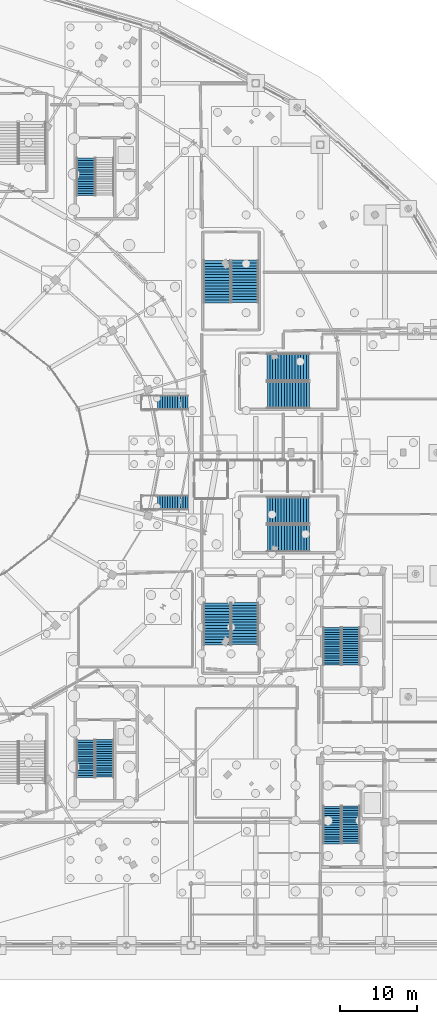
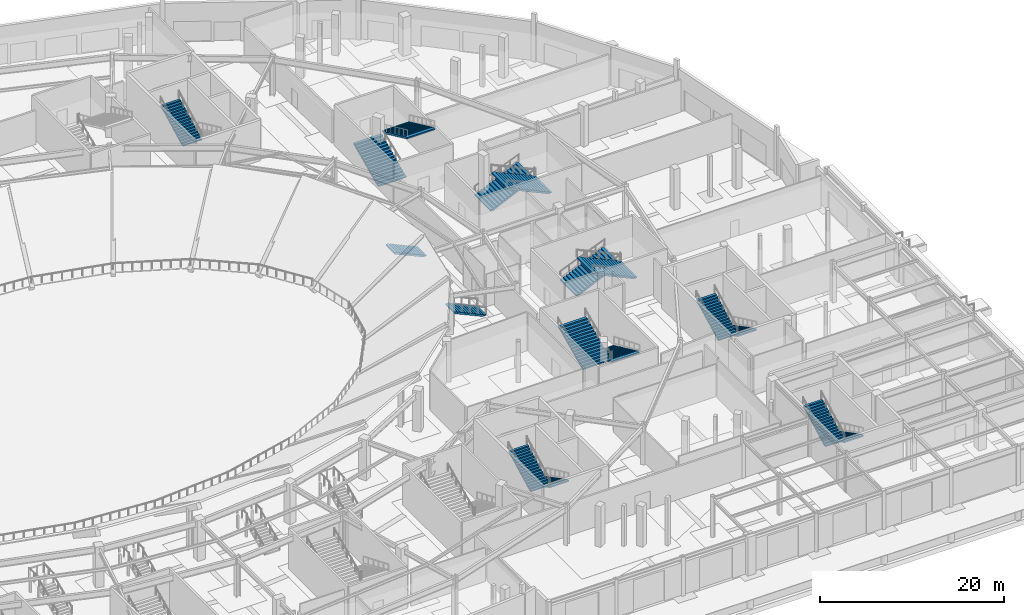
# One storey, part 67 of 93: 17 stair flights, 10 elements without a shape of their own.
"""IFC4 building model written with IfcOpenShell, lengths in metres."""

from ifc_helpers import new_model, si_unit, direction, frame, origin, place, context, subcontext, project, spatial, polyline, outline, extrude, material, type_object, element, aggregate, save


model = new_model("IFC4")

# Units and contexts
model_context = context("Model", 3, precision=1e-05, world=origin(), true_north=direction((0.0, 1.0)))
body_context = subcontext(model_context, "Body", "Model", "MODEL_VIEW")
ifc_project = project(units=[si_unit("LENGTHUNIT", "METRE"), si_unit("AREAUNIT", "SQUARE_METRE"), si_unit("VOLUMEUNIT", "CUBIC_METRE"), si_unit("PLANEANGLEUNIT", "RADIAN"), si_unit("MASSUNIT", "GRAM", prefix="KILO")], contexts=[model_context])

# Site, building, storey
site_placement = place(None, origin())
site = spatial("IfcSite", under=ifc_project, at=site_placement, CompositionType="ELEMENT")
building_placement = place(site_placement, origin())
building = spatial("IfcBuilding", under=site, at=building_placement, Name="Kalgoora Escarpment Arena", CompositionType="ELEMENT")
storey_placement = place(building_placement, origin())
storey = spatial("IfcBuildingStorey", under=building, at=storey_placement, Name="L00", CompositionType="ELEMENT", Elevation=0.0)

# Stair, stair flights
ifc_material_1 = material(Name="Concrete N40 (fc' 40 MPa)", Category="concrete")
stair_type_1 = type_object("IfcStairType", Name="STR-EXIT-2", PredefinedType="HALF_TURN_STAIR", material=ifc_material_1)
stair_1_placement = place(storey_placement, origin())
stair_1 = element("IfcStair", 1, at=stair_1_placement, inside=storey, type_object=stair_type_1, Name="Fire-isolated exit stair ST06 (L00)", PredefinedType="HALF_TURN_STAIR")
ifc_material_2 = material(Name="Concrete N40 (fc' 40 MPa)", Category="concrete")
stair_flight_type_1 = type_object("IfcStairFlightType", Name="FLT-EXIT-2", PredefinedType="STRAIGHT", material=ifc_material_2)
stair_flight_1_placement = place(storey_placement, frame((131.5576171875, 26.72998046875, 0.0), z_axis=(0.0, 0.0, 1.0), x_axis=(0.0, -1.0, 0.0)))
stair_flight_1 = element("IfcStairFlight", 2, at=stair_flight_1_placement, type_object=stair_flight_type_1, Name="ST06 L00 lower flight", NumberOfRisers=17, NumberOfTreads=16, PredefinedType="STRAIGHT", RiserHeight=0.158824, TreadLength=0.305, context=body_context, shape_type="SweptSolid", body=[
    extrude(outline(polyline([(0.0, 0.0), (0.0, 0.158935546875), (0.304931640625, 0.158935546875), (0.304931640625, 0.317626953125), (0.610107421875, 0.317626953125), (0.610107421875, 0.4765625), (0.9150390625, 0.4765625), (0.9150390625, 0.63525390625), (1.219970703125, 0.63525390625), (1.219970703125, 0.794189453125), (1.52490234375, 0.794189453125), (1.52490234375, 0.952880859375), (1.830078125, 0.952880859375), (1.830078125, 1.11181640625), (2.135009765625, 1.11181640625), (2.135009765625, 1.2705078125), (2.43994140625, 1.2705078125), (2.43994140625, 1.429443359375), (2.7451171875, 1.429443359375), (2.7451171875, 1.588134765625), (3.050048828125, 1.588134765625), (3.050048828125, 1.7470703125), (3.35498046875, 1.7470703125), (3.35498046875, 1.906005859375), (3.659912109375, 1.906005859375), (3.659912109375, 2.064697265625), (3.965087890625, 2.064697265625), (3.965087890625, 2.2236328125), (4.27001953125, 2.2236328125), (4.27001953125, 2.38232421875), (4.574951171875, 2.38232421875), (4.574951171875, 2.541259765625), (4.8798828125, 2.541259765625), (4.8798828125, 2.699951171875), (4.8798828125, 2.349609375), (0.367919921875, 0.0), (0.0, 0.0)])), frame((0.0, 1.1923828125, 0.0), z_axis=(0.0, -1.0, 0.0), x_axis=(1.0, 0.0, 0.0)), (0.0, 0.0, 1.0), 2.385009765625),
])
stair_flight_2_placement = place(storey_placement, frame((129.142578125, 21.7900390625, 2.699951171875), z_axis=(0.0, 0.0, 1.0), x_axis=(0.0, 1.0, 0.0)))
stair_flight_2 = element("IfcStairFlight", 3, at=stair_flight_2_placement, type_object=stair_flight_type_1, Name="ST06 L00 upper flight", NumberOfRisers=17, NumberOfTreads=16, PredefinedType="STRAIGHT", RiserHeight=0.158824, TreadLength=0.305, context=body_context, shape_type="SweptSolid", body=[
    extrude(outline(polyline([(0.0, 0.0), (0.0, 0.158935546875), (0.304931640625, 0.158935546875), (0.304931640625, 0.317626953125), (0.610107421875, 0.317626953125), (0.610107421875, 0.4765625), (0.9150390625, 0.4765625), (0.9150390625, 0.63525390625), (1.219970703125, 0.63525390625), (1.219970703125, 0.794189453125), (1.52490234375, 0.794189453125), (1.52490234375, 0.952880859375), (1.830078125, 0.952880859375), (1.830078125, 1.11181640625), (2.135009765625, 1.11181640625), (2.135009765625, 1.2705078125), (2.43994140625, 1.2705078125), (2.43994140625, 1.429443359375), (2.7451171875, 1.429443359375), (2.7451171875, 1.588134765625), (3.050048828125, 1.588134765625), (3.050048828125, 1.7470703125), (3.35498046875, 1.7470703125), (3.35498046875, 1.906005859375), (3.659912109375, 1.906005859375), (3.659912109375, 2.064697265625), (3.965087890625, 2.064697265625), (3.965087890625, 2.2236328125), (4.27001953125, 2.2236328125), (4.27001953125, 2.38232421875), (4.574951171875, 2.38232421875), (4.574951171875, 2.541259765625), (4.8798828125, 2.541259765625), (4.8798828125, 2.699951171875), (4.8798828125, 2.349609375), (0.367919921875, 0.0), (0.0, 0.0)])), frame((0.0, 1.1923828125, 0.0), z_axis=(0.0, -1.0, 0.0), x_axis=(1.0, 0.0, 0.0)), (0.0, 0.0, 1.0), 2.385009765625),
])
aggregate(stair_1, [stair_flight_1, stair_flight_2])

ifc_material_3 = material(Name="Concrete N40 (fc' 40 MPa)", Category="concrete")
stair_type_2 = type_object("IfcStairType", Name="STR-EXIT-3", PredefinedType="HALF_TURN_STAIR", material=ifc_material_3)
stair_2_placement = place(storey_placement, origin())
stair_2 = element("IfcStair", 4, at=stair_2_placement, inside=storey, type_object=stair_type_2, Name="Fire-isolated exit stair ST07 (L00)", PredefinedType="HALF_TURN_STAIR")
ifc_material_4 = material(Name="Concrete N40 (fc' 40 MPa)", Category="concrete")
stair_flight_type_2 = type_object("IfcStairFlightType", Name="FLT-EXIT-3", PredefinedType="STRAIGHT", material=ifc_material_4)
stair_flight_3_placement = place(storey_placement, frame((163.554931640625, 41.330078125, 0.0), z_axis=(0.0, 0.0, 1.0), x_axis=(0.0, -1.0, 0.0)))
stair_flight_3 = element("IfcStairFlight", 5, at=stair_flight_3_placement, type_object=stair_flight_type_2, Name="ST07 L00 lower flight", NumberOfRisers=17, NumberOfTreads=16, PredefinedType="STRAIGHT", RiserHeight=0.158824, TreadLength=0.305, context=body_context, shape_type="SweptSolid", body=[
    extrude(outline(polyline([(0.0, 0.0), (0.0, 0.158935546875), (0.304931640625, 0.158935546875), (0.304931640625, 0.317626953125), (0.610107421875, 0.317626953125), (0.610107421875, 0.4765625), (0.9150390625, 0.4765625), (0.9150390625, 0.63525390625), (1.219970703125, 0.63525390625), (1.219970703125, 0.794189453125), (1.52490234375, 0.794189453125), (1.52490234375, 0.952880859375), (1.830078125, 0.952880859375), (1.830078125, 1.11181640625), (2.135009765625, 1.11181640625), (2.135009765625, 1.2705078125), (2.43994140625, 1.2705078125), (2.43994140625, 1.429443359375), (2.7451171875, 1.429443359375), (2.7451171875, 1.588134765625), (3.050048828125, 1.588134765625), (3.050048828125, 1.7470703125), (3.35498046875, 1.7470703125), (3.35498046875, 1.906005859375), (3.659912109375, 1.906005859375), (3.659912109375, 2.064697265625), (3.965087890625, 2.064697265625), (3.965087890625, 2.2236328125), (4.27001953125, 2.2236328125), (4.27001953125, 2.38232421875), (4.574951171875, 2.38232421875), (4.574951171875, 2.541259765625), (4.8798828125, 2.541259765625), (4.8798828125, 2.699951171875), (4.8798828125, 2.349609375), (0.367919921875, 0.0), (0.0, 0.0)])), frame((0.0, 1.19482421875, 0.0), z_axis=(0.0, -1.0, 0.0), x_axis=(1.0, 0.0, 0.0)), (0.0, 0.0, 1.0), 2.389892578125),
])
stair_flight_4_placement = place(storey_placement, frame((161.14501953125, 36.389892578125, 2.699951171875), z_axis=(0.0, 0.0, 1.0), x_axis=(0.0, 1.0, 0.0)))
stair_flight_4 = element("IfcStairFlight", 6, at=stair_flight_4_placement, type_object=stair_flight_type_2, Name="ST07 L00 upper flight", NumberOfRisers=17, NumberOfTreads=16, PredefinedType="STRAIGHT", RiserHeight=0.158824, TreadLength=0.305, context=body_context, shape_type="SweptSolid", body=[
    extrude(outline(polyline([(0.0, 0.0), (0.0, 0.158935546875), (0.304931640625, 0.158935546875), (0.304931640625, 0.317626953125), (0.610107421875, 0.317626953125), (0.610107421875, 0.4765625), (0.9150390625, 0.4765625), (0.9150390625, 0.63525390625), (1.219970703125, 0.63525390625), (1.219970703125, 0.794189453125), (1.52490234375, 0.794189453125), (1.52490234375, 0.952880859375), (1.830078125, 0.952880859375), (1.830078125, 1.11181640625), (2.135009765625, 1.11181640625), (2.135009765625, 1.2705078125), (2.43994140625, 1.2705078125), (2.43994140625, 1.429443359375), (2.7451171875, 1.429443359375), (2.7451171875, 1.588134765625), (3.050048828125, 1.588134765625), (3.050048828125, 1.7470703125), (3.35498046875, 1.7470703125), (3.35498046875, 1.906005859375), (3.659912109375, 1.906005859375), (3.659912109375, 2.064697265625), (3.965087890625, 2.064697265625), (3.965087890625, 2.2236328125), (4.27001953125, 2.2236328125), (4.27001953125, 2.38232421875), (4.574951171875, 2.38232421875), (4.574951171875, 2.541259765625), (4.8798828125, 2.541259765625), (4.8798828125, 2.699951171875), (4.8798828125, 2.349609375), (0.367919921875, 0.0), (0.0, 0.0)])), frame((0.0, 1.19482421875, 0.0), z_axis=(0.0, -1.0, 0.0), x_axis=(1.0, 0.0, 0.0)), (0.0, 0.0, 1.0), 2.389892578125),
])
aggregate(stair_2, [stair_flight_3, stair_flight_4])

# Stair, stair flight
ifc_material_5 = material(Name="Concrete N40 (fc' 40 MPa)", Category="concrete")
stair_type_3 = type_object("IfcStairType", Name="STR-EXIT-4", PredefinedType="HALF_TURN_STAIR", material=ifc_material_5)
stair_3_placement = place(storey_placement, origin())
stair_3 = element("IfcStair", 7, at=stair_3_placement, inside=storey, type_object=stair_type_3, Name="Fire-isolated exit stair ST04 (L00)", PredefinedType="HALF_TURN_STAIR")
ifc_material_6 = material(Name="Concrete N40 (fc' 40 MPa)", Category="concrete")
stair_flight_type_3 = type_object("IfcStairFlightType", Name="FLT-EXIT-4", PredefinedType="STRAIGHT", material=ifc_material_6)
stair_flight_5_placement = place(storey_placement, frame((129.1474609375, 97.389892578125, 2.699951171875), z_axis=(0.0, 0.0, 1.0), x_axis=(0.0, 1.0, 0.0)))
stair_flight_5 = element("IfcStairFlight", 8, at=stair_flight_5_placement, type_object=stair_flight_type_3, Name="ST04 L00 upper flight", NumberOfRisers=17, NumberOfTreads=16, PredefinedType="STRAIGHT", RiserHeight=0.158824, TreadLength=0.305, context=body_context, shape_type="SweptSolid", body=[
    extrude(outline(polyline([(0.0, 0.0), (0.0, 0.158935546875), (0.304931640625, 0.158935546875), (0.304931640625, 0.317626953125), (0.610107421875, 0.317626953125), (0.610107421875, 0.4765625), (0.9150390625, 0.4765625), (0.9150390625, 0.63525390625), (1.219970703125, 0.63525390625), (1.219970703125, 0.794189453125), (1.52490234375, 0.794189453125), (1.52490234375, 0.952880859375), (1.830078125, 0.952880859375), (1.830078125, 1.11181640625), (2.135009765625, 1.11181640625), (2.135009765625, 1.2705078125), (2.43994140625, 1.2705078125), (2.43994140625, 1.429443359375), (2.7451171875, 1.429443359375), (2.7451171875, 1.588134765625), (3.050048828125, 1.588134765625), (3.050048828125, 1.7470703125), (3.35498046875, 1.7470703125), (3.35498046875, 1.906005859375), (3.659912109375, 1.906005859375), (3.659912109375, 2.064697265625), (3.965087890625, 2.064697265625), (3.965087890625, 2.2236328125), (4.27001953125, 2.2236328125), (4.27001953125, 2.38232421875), (4.574951171875, 2.38232421875), (4.574951171875, 2.541259765625), (4.8798828125, 2.541259765625), (4.8798828125, 2.699951171875), (4.8798828125, 2.349609375), (0.367919921875, 0.0), (0.0, 0.0)])), frame((0.0, 1.197509765625, 0.0), z_axis=(0.0, -1.0, 0.0), x_axis=(1.0, 0.0, 0.0)), (0.0, 0.0, 1.0), 2.39501953125),
])
aggregate(stair_3, [stair_flight_5])

# Stair, stair flights
stair_4_placement = place(storey_placement, origin())
stair_4 = element("IfcStair", 9, at=stair_4_placement, inside=storey, type_object=stair_type_3, Name="Fire-isolated exit stair ST08 (L00)", PredefinedType="HALF_TURN_STAIR")
stair_flight_6_placement = place(storey_placement, frame((163.552490234375, 18.1298828125, 0.0), z_axis=(0.0, 0.0, 1.0), x_axis=(0.0, -1.0, 0.0)))
stair_flight_6 = element("IfcStairFlight", 10, at=stair_flight_6_placement, type_object=stair_flight_type_3, Name="ST08 L00 lower flight", NumberOfRisers=17, NumberOfTreads=16, PredefinedType="STRAIGHT", RiserHeight=0.158824, TreadLength=0.305, context=body_context, shape_type="SweptSolid", body=[
    extrude(outline(polyline([(0.0, 0.0), (0.0, 0.158935546875), (0.304931640625, 0.158935546875), (0.304931640625, 0.317626953125), (0.610107421875, 0.317626953125), (0.610107421875, 0.4765625), (0.9150390625, 0.4765625), (0.9150390625, 0.63525390625), (1.219970703125, 0.63525390625), (1.219970703125, 0.794189453125), (1.52490234375, 0.794189453125), (1.52490234375, 0.952880859375), (1.830078125, 0.952880859375), (1.830078125, 1.11181640625), (2.135009765625, 1.11181640625), (2.135009765625, 1.2705078125), (2.43994140625, 1.2705078125), (2.43994140625, 1.429443359375), (2.7451171875, 1.429443359375), (2.7451171875, 1.588134765625), (3.050048828125, 1.588134765625), (3.050048828125, 1.7470703125), (3.35498046875, 1.7470703125), (3.35498046875, 1.906005859375), (3.659912109375, 1.906005859375), (3.659912109375, 2.064697265625), (3.965087890625, 2.064697265625), (3.965087890625, 2.2236328125), (4.27001953125, 2.2236328125), (4.27001953125, 2.38232421875), (4.574951171875, 2.38232421875), (4.574951171875, 2.541259765625), (4.8798828125, 2.541259765625), (4.8798828125, 2.699951171875), (4.8798828125, 2.349609375), (0.367919921875, 0.0), (0.0, 0.0)])), frame((0.0, 1.197509765625, 0.0), z_axis=(0.0, -1.0, 0.0), x_axis=(1.0, 0.0, 0.0)), (0.0, 0.0, 1.0), 2.39501953125),
])
stair_flight_7_placement = place(storey_placement, frame((161.1474609375, 13.18994140625, 2.699951171875), z_axis=(0.0, 0.0, 1.0), x_axis=(0.0, 1.0, 0.0)))
stair_flight_7 = element("IfcStairFlight", 11, at=stair_flight_7_placement, type_object=stair_flight_type_3, Name="ST08 L00 upper flight", NumberOfRisers=17, NumberOfTreads=16, PredefinedType="STRAIGHT", RiserHeight=0.158824, TreadLength=0.305, context=body_context, shape_type="SweptSolid", body=[
    extrude(outline(polyline([(0.0, 0.0), (0.0, 0.158935546875), (0.304931640625, 0.158935546875), (0.304931640625, 0.317626953125), (0.610107421875, 0.317626953125), (0.610107421875, 0.4765625), (0.9150390625, 0.4765625), (0.9150390625, 0.63525390625), (1.219970703125, 0.63525390625), (1.219970703125, 0.794189453125), (1.52490234375, 0.794189453125), (1.52490234375, 0.952880859375), (1.830078125, 0.952880859375), (1.830078125, 1.11181640625), (2.135009765625, 1.11181640625), (2.135009765625, 1.2705078125), (2.43994140625, 1.2705078125), (2.43994140625, 1.429443359375), (2.7451171875, 1.429443359375), (2.7451171875, 1.588134765625), (3.050048828125, 1.588134765625), (3.050048828125, 1.7470703125), (3.35498046875, 1.7470703125), (3.35498046875, 1.906005859375), (3.659912109375, 1.906005859375), (3.659912109375, 2.064697265625), (3.965087890625, 2.064697265625), (3.965087890625, 2.2236328125), (4.27001953125, 2.2236328125), (4.27001953125, 2.38232421875), (4.574951171875, 2.38232421875), (4.574951171875, 2.541259765625), (4.8798828125, 2.541259765625), (4.8798828125, 2.699951171875), (4.8798828125, 2.349609375), (0.367919921875, 0.0), (0.0, 0.0)])), frame((0.0, 1.197509765625, 0.0), z_axis=(0.0, -1.0, 0.0), x_axis=(1.0, 0.0, 0.0)), (0.0, 0.0, 1.0), 2.39501953125),
])
aggregate(stair_4, [stair_flight_6, stair_flight_7])

ifc_material_7 = material(Name="Precast concrete N50 (fc' 50 MPa)", Category="concrete")
stair_type_4 = type_object("IfcStairType", Name="STR-STAD-1", PredefinedType="HALF_TURN_STAIR", material=ifc_material_7)
stair_5_placement = place(storey_placement, origin())
stair_5 = element("IfcStair", 12, at=stair_5_placement, inside=storey, type_object=stair_type_4, Name="Fire-isolated exit stair ST21 (L00)", PredefinedType="HALF_TURN_STAIR")
ifc_material_8 = material(Name="Precast concrete N50 (fc' 50 MPa)", Category="concrete")
stair_flight_type_4 = type_object("IfcStairFlightType", Name="FLT-STAD-1", PredefinedType="STRAIGHT", material=ifc_material_8)
stair_flight_8_placement = place(storey_placement, frame((152.669921875, 75.107421875, 0.0), z_axis=(0.0, 0.0, 1.0), x_axis=(1.0, 0.0, 0.0)))
stair_flight_8 = element("IfcStairFlight", 13, at=stair_flight_8_placement, type_object=stair_flight_type_4, Name="ST21 L00 lower flight", NumberOfRisers=16, NumberOfTreads=15, PredefinedType="STRAIGHT", RiserHeight=0.16875, TreadLength=0.365, context=body_context, shape_type="SweptSolid", body=[
    extrude(outline(polyline([(0.0, 0.0), (0.0, 0.168701171875), (0.364990234375, 0.168701171875), (0.364990234375, 0.33740234375), (0.72998046875, 0.33740234375), (0.72998046875, 0.50634765625), (1.094970703125, 0.50634765625), (1.094970703125, 0.675048828125), (1.4599609375, 0.675048828125), (1.4599609375, 0.84375), (1.824951171875, 0.84375), (1.824951171875, 1.012451171875), (2.18994140625, 1.012451171875), (2.18994140625, 1.18115234375), (2.554931640625, 1.18115234375), (2.554931640625, 1.35009765625), (2.919921875, 1.35009765625), (2.919921875, 1.518798828125), (3.284912109375, 1.518798828125), (3.284912109375, 1.6875), (3.64990234375, 1.6875), (3.64990234375, 1.856201171875), (4.014892578125, 1.856201171875), (4.014892578125, 2.02490234375), (4.3798828125, 2.02490234375), (4.3798828125, 2.19384765625), (4.7451171875, 2.19384765625), (4.7451171875, 2.362548828125), (5.110107421875, 2.362548828125), (5.110107421875, 2.53125), (5.47509765625, 2.53125), (5.47509765625, 2.699951171875), (5.47509765625, 2.343994140625), (0.405029296875, 0.0), (0.0, 0.0)])), frame((0.0, 1.74267578125, 0.0), z_axis=(0.0, -1.0, 0.0), x_axis=(1.0, 0.0, 0.0)), (0.0, 0.0, 1.0), 3.485107421875),
])
stair_flight_9_placement = place(storey_placement, frame((158.205078125, 71.492431640625, 2.699951171875), z_axis=(0.0, 0.0, 1.0), x_axis=(-1.0, 0.0, 0.0)))
stair_flight_9 = element("IfcStairFlight", 14, at=stair_flight_9_placement, type_object=stair_flight_type_4, Name="ST21 L00 upper flight", NumberOfRisers=16, NumberOfTreads=15, PredefinedType="STRAIGHT", RiserHeight=0.16875, TreadLength=0.365, context=body_context, shape_type="SweptSolid", body=[
    extrude(outline(polyline([(0.0, 0.0), (0.0, 0.168701171875), (0.364990234375, 0.168701171875), (0.364990234375, 0.33740234375), (0.72998046875, 0.33740234375), (0.72998046875, 0.50634765625), (1.094970703125, 0.50634765625), (1.094970703125, 0.675048828125), (1.4599609375, 0.675048828125), (1.4599609375, 0.84375), (1.824951171875, 0.84375), (1.824951171875, 1.012451171875), (2.18994140625, 1.012451171875), (2.18994140625, 1.18115234375), (2.554931640625, 1.18115234375), (2.554931640625, 1.35009765625), (2.919921875, 1.35009765625), (2.919921875, 1.518798828125), (3.284912109375, 1.518798828125), (3.284912109375, 1.6875), (3.64990234375, 1.6875), (3.64990234375, 1.856201171875), (4.014892578125, 1.856201171875), (4.014892578125, 2.02490234375), (4.3798828125, 2.02490234375), (4.3798828125, 2.19384765625), (4.7451171875, 2.19384765625), (4.7451171875, 2.362548828125), (5.110107421875, 2.362548828125), (5.110107421875, 2.53125), (5.47509765625, 2.53125), (5.47509765625, 2.699951171875), (5.47509765625, 2.343994140625), (0.405029296875, 0.0), (0.0, 0.0)])), frame((0.0, 1.74267578125, 0.0), z_axis=(0.0, -1.0, 0.0), x_axis=(1.0, 0.0, 0.0)), (0.0, 0.0, 1.0), 3.485107421875),
])
aggregate(stair_5, [stair_flight_8, stair_flight_9])

ifc_material_9 = material(Name="Precast concrete N50 (fc' 50 MPa)", Category="concrete")
stair_type_5 = type_object("IfcStairType", Name="STR-STAD-2", PredefinedType="HALF_TURN_STAIR", material=ifc_material_9)
stair_6_placement = place(storey_placement, origin())
stair_6 = element("IfcStair", 15, at=stair_6_placement, inside=storey, type_object=stair_type_5, Name="Fire-isolated exit stair ST22 (L00)", PredefinedType="HALF_TURN_STAIR")
ifc_material_10 = material(Name="Precast concrete N50 (fc' 50 MPa)", Category="concrete")
stair_flight_type_5 = type_object("IfcStairFlightType", Name="FLT-STAD-2", PredefinedType="STRAIGHT", material=ifc_material_10)
stair_flight_10_placement = place(storey_placement, frame((152.669921875, 56.5048828125, 0.0), z_axis=(0.0, 0.0, 1.0), x_axis=(1.0, 0.0, 0.0)))
stair_flight_10 = element("IfcStairFlight", 16, at=stair_flight_10_placement, type_object=stair_flight_type_5, Name="ST22 L00 lower flight", NumberOfRisers=16, NumberOfTreads=15, PredefinedType="STRAIGHT", RiserHeight=0.16875, TreadLength=0.365, context=body_context, shape_type="SweptSolid", body=[
    extrude(outline(polyline([(0.0, 0.0), (0.0, 0.168701171875), (0.364990234375, 0.168701171875), (0.364990234375, 0.33740234375), (0.72998046875, 0.33740234375), (0.72998046875, 0.50634765625), (1.094970703125, 0.50634765625), (1.094970703125, 0.675048828125), (1.4599609375, 0.675048828125), (1.4599609375, 0.84375), (1.824951171875, 0.84375), (1.824951171875, 1.012451171875), (2.18994140625, 1.012451171875), (2.18994140625, 1.18115234375), (2.554931640625, 1.18115234375), (2.554931640625, 1.35009765625), (2.919921875, 1.35009765625), (2.919921875, 1.518798828125), (3.284912109375, 1.518798828125), (3.284912109375, 1.6875), (3.64990234375, 1.6875), (3.64990234375, 1.856201171875), (4.014892578125, 1.856201171875), (4.014892578125, 2.02490234375), (4.3798828125, 2.02490234375), (4.3798828125, 2.19384765625), (4.7451171875, 2.19384765625), (4.7451171875, 2.362548828125), (5.110107421875, 2.362548828125), (5.110107421875, 2.53125), (5.47509765625, 2.53125), (5.47509765625, 2.699951171875), (5.47509765625, 2.343994140625), (0.405029296875, 0.0), (0.0, 0.0)])), frame((0.0, 1.7451171875, 0.0), z_axis=(0.0, -1.0, 0.0), x_axis=(1.0, 0.0, 0.0)), (0.0, 0.0, 1.0), 3.489990234375),
])
stair_flight_11_placement = place(storey_placement, frame((158.205078125, 52.89501953125, 2.699951171875), z_axis=(0.0, 0.0, 1.0), x_axis=(-1.0, 0.0, 0.0)))
stair_flight_11 = element("IfcStairFlight", 17, at=stair_flight_11_placement, type_object=stair_flight_type_5, Name="ST22 L00 upper flight", NumberOfRisers=16, NumberOfTreads=15, PredefinedType="STRAIGHT", RiserHeight=0.16875, TreadLength=0.365, context=body_context, shape_type="SweptSolid", body=[
    extrude(outline(polyline([(0.0, 0.0), (0.0, 0.168701171875), (0.364990234375, 0.168701171875), (0.364990234375, 0.33740234375), (0.72998046875, 0.33740234375), (0.72998046875, 0.50634765625), (1.094970703125, 0.50634765625), (1.094970703125, 0.675048828125), (1.4599609375, 0.675048828125), (1.4599609375, 0.84375), (1.824951171875, 0.84375), (1.824951171875, 1.012451171875), (2.18994140625, 1.012451171875), (2.18994140625, 1.18115234375), (2.554931640625, 1.18115234375), (2.554931640625, 1.35009765625), (2.919921875, 1.35009765625), (2.919921875, 1.518798828125), (3.284912109375, 1.518798828125), (3.284912109375, 1.6875), (3.64990234375, 1.6875), (3.64990234375, 1.856201171875), (4.014892578125, 1.856201171875), (4.014892578125, 2.02490234375), (4.3798828125, 2.02490234375), (4.3798828125, 2.19384765625), (4.7451171875, 2.19384765625), (4.7451171875, 2.362548828125), (5.110107421875, 2.362548828125), (5.110107421875, 2.53125), (5.47509765625, 2.53125), (5.47509765625, 2.699951171875), (5.47509765625, 2.343994140625), (0.405029296875, 0.0), (0.0, 0.0)])), frame((0.0, 1.7451171875, 0.0), z_axis=(0.0, -1.0, 0.0), x_axis=(1.0, 0.0, 0.0)), (0.0, 0.0, 1.0), 3.489990234375),
])
aggregate(stair_6, [stair_flight_10, stair_flight_11])

ifc_material_11 = material(Name="Precast concrete N50 (fc' 50 MPa)", Category="concrete")
stair_type_6 = type_object("IfcStairType", Name="STR-STAD-3", PredefinedType="HALF_TURN_STAIR", material=ifc_material_11)
stair_7_placement = place(storey_placement, origin())
stair_7 = element("IfcStair", 18, at=stair_7_placement, inside=storey, type_object=stair_type_6, Name="Fire-isolated exit stair ST23 (L00)", PredefinedType="HALF_TURN_STAIR")
ifc_material_12 = material(Name="Precast concrete N50 (fc' 50 MPa)", Category="concrete")
stair_flight_type_6 = type_object("IfcStairFlightType", Name="FLT-STAD-3", PredefinedType="STRAIGHT", material=ifc_material_12)
stair_flight_12_placement = place(storey_placement, frame((146.197509765625, 83.469970703125, 0.0), z_axis=(0.0, 0.0, 1.0), x_axis=(0.0, 1.0, 0.0)))
stair_flight_12 = element("IfcStairFlight", 19, at=stair_flight_12_placement, type_object=stair_flight_type_6, Name="ST23 L00 lower flight", NumberOfRisers=16, NumberOfTreads=15, PredefinedType="STRAIGHT", RiserHeight=0.16875, TreadLength=0.365, context=body_context, shape_type="SweptSolid", body=[
    extrude(outline(polyline([(0.0, 0.0), (0.0, 0.168701171875), (0.364990234375, 0.168701171875), (0.364990234375, 0.33740234375), (0.72998046875, 0.33740234375), (0.72998046875, 0.50634765625), (1.094970703125, 0.50634765625), (1.094970703125, 0.675048828125), (1.4599609375, 0.675048828125), (1.4599609375, 0.84375), (1.824951171875, 0.84375), (1.824951171875, 1.012451171875), (2.18994140625, 1.012451171875), (2.18994140625, 1.18115234375), (2.554931640625, 1.18115234375), (2.554931640625, 1.35009765625), (2.919921875, 1.35009765625), (2.919921875, 1.518798828125), (3.284912109375, 1.518798828125), (3.284912109375, 1.6875), (3.64990234375, 1.6875), (3.64990234375, 1.856201171875), (4.014892578125, 1.856201171875), (4.014892578125, 2.02490234375), (4.3798828125, 2.02490234375), (4.3798828125, 2.19384765625), (4.7451171875, 2.19384765625), (4.7451171875, 2.362548828125), (5.110107421875, 2.362548828125), (5.110107421875, 2.53125), (5.47509765625, 2.53125), (5.47509765625, 2.699951171875), (5.47509765625, 2.343994140625), (0.405029296875, 0.0), (0.0, 0.0)])), frame((0.0, 1.74755859375, 0.0), z_axis=(0.0, -1.0, 0.0), x_axis=(1.0, 0.0, 0.0)), (0.0, 0.0, 1.0), 3.4951171875),
])
stair_flight_13_placement = place(storey_placement, frame((149.802490234375, 89.0048828125, 2.699951171875), z_axis=(0.0, 0.0, 1.0), x_axis=(0.0, -1.0, 0.0)))
stair_flight_13 = element("IfcStairFlight", 20, at=stair_flight_13_placement, type_object=stair_flight_type_6, Name="ST23 L00 upper flight", NumberOfRisers=16, NumberOfTreads=15, PredefinedType="STRAIGHT", RiserHeight=0.16875, TreadLength=0.365, context=body_context, shape_type="SweptSolid", body=[
    extrude(outline(polyline([(0.0, 0.0), (0.0, 0.168701171875), (0.364990234375, 0.168701171875), (0.364990234375, 0.33740234375), (0.72998046875, 0.33740234375), (0.72998046875, 0.50634765625), (1.094970703125, 0.50634765625), (1.094970703125, 0.675048828125), (1.4599609375, 0.675048828125), (1.4599609375, 0.84375), (1.824951171875, 0.84375), (1.824951171875, 1.012451171875), (2.18994140625, 1.012451171875), (2.18994140625, 1.18115234375), (2.554931640625, 1.18115234375), (2.554931640625, 1.35009765625), (2.919921875, 1.35009765625), (2.919921875, 1.518798828125), (3.284912109375, 1.518798828125), (3.284912109375, 1.6875), (3.64990234375, 1.6875), (3.64990234375, 1.856201171875), (4.014892578125, 1.856201171875), (4.014892578125, 2.02490234375), (4.3798828125, 2.02490234375), (4.3798828125, 2.19384765625), (4.7451171875, 2.19384765625), (4.7451171875, 2.362548828125), (5.110107421875, 2.362548828125), (5.110107421875, 2.53125), (5.47509765625, 2.53125), (5.47509765625, 2.699951171875), (5.47509765625, 2.343994140625), (0.405029296875, 0.0), (0.0, 0.0)])), frame((0.0, 1.74755859375, 0.0), z_axis=(0.0, -1.0, 0.0), x_axis=(1.0, 0.0, 0.0)), (0.0, 0.0, 1.0), 3.4951171875),
])
aggregate(stair_7, [stair_flight_12, stair_flight_13])

ifc_material_13 = material(Name="Precast concrete N50 (fc' 50 MPa)", Category="concrete")
stair_type_7 = type_object("IfcStairType", Name="STR-STAD-4", PredefinedType="HALF_TURN_STAIR", material=ifc_material_13)
stair_8_placement = place(storey_placement, origin())
stair_8 = element("IfcStair", 21, at=stair_8_placement, inside=storey, type_object=stair_type_7, Name="Fire-isolated exit stair ST24 (L00)", PredefinedType="HALF_TURN_STAIR")
ifc_material_14 = material(Name="Precast concrete N50 (fc' 50 MPa)", Category="concrete")
stair_flight_type_7 = type_object("IfcStairFlightType", Name="FLT-STAD-4", PredefinedType="STRAIGHT", material=ifc_material_14)
stair_flight_14_placement = place(storey_placement, frame((149.800048828125, 44.530029296875, 0.0), z_axis=(0.0, 0.0, 1.0), x_axis=(0.0, -1.0, 0.0)))
stair_flight_14 = element("IfcStairFlight", 22, at=stair_flight_14_placement, type_object=stair_flight_type_7, Name="ST24 L00 lower flight", NumberOfRisers=16, NumberOfTreads=15, PredefinedType="STRAIGHT", RiserHeight=0.16875, TreadLength=0.365, context=body_context, shape_type="SweptSolid", body=[
    extrude(outline(polyline([(0.0, 0.0), (0.0, 0.168701171875), (0.364990234375, 0.168701171875), (0.364990234375, 0.33740234375), (0.72998046875, 0.33740234375), (0.72998046875, 0.50634765625), (1.094970703125, 0.50634765625), (1.094970703125, 0.675048828125), (1.4599609375, 0.675048828125), (1.4599609375, 0.84375), (1.824951171875, 0.84375), (1.824951171875, 1.012451171875), (2.18994140625, 1.012451171875), (2.18994140625, 1.18115234375), (2.554931640625, 1.18115234375), (2.554931640625, 1.35009765625), (2.919921875, 1.35009765625), (2.919921875, 1.518798828125), (3.284912109375, 1.518798828125), (3.284912109375, 1.6875), (3.64990234375, 1.6875), (3.64990234375, 1.856201171875), (4.014892578125, 1.856201171875), (4.014892578125, 2.02490234375), (4.3798828125, 2.02490234375), (4.3798828125, 2.19384765625), (4.7451171875, 2.19384765625), (4.7451171875, 2.362548828125), (5.110107421875, 2.362548828125), (5.110107421875, 2.53125), (5.47509765625, 2.53125), (5.47509765625, 2.699951171875), (5.47509765625, 2.343994140625), (0.405029296875, 0.0), (0.0, 0.0)])), frame((0.0, 1.75, 0.0), z_axis=(0.0, -1.0, 0.0), x_axis=(1.0, 0.0, 0.0)), (0.0, 0.0, 1.0), 3.5),
])
stair_flight_15_placement = place(storey_placement, frame((146.199951171875, 38.9951171875, 2.699951171875), z_axis=(0.0, 0.0, 1.0), x_axis=(0.0, 1.0, 0.0)))
stair_flight_15 = element("IfcStairFlight", 23, at=stair_flight_15_placement, type_object=stair_flight_type_7, Name="ST24 L00 upper flight", NumberOfRisers=16, NumberOfTreads=15, PredefinedType="STRAIGHT", RiserHeight=0.16875, TreadLength=0.365, context=body_context, shape_type="SweptSolid", body=[
    extrude(outline(polyline([(0.0, 0.0), (0.0, 0.168701171875), (0.364990234375, 0.168701171875), (0.364990234375, 0.33740234375), (0.72998046875, 0.33740234375), (0.72998046875, 0.50634765625), (1.094970703125, 0.50634765625), (1.094970703125, 0.675048828125), (1.4599609375, 0.675048828125), (1.4599609375, 0.84375), (1.824951171875, 0.84375), (1.824951171875, 1.012451171875), (2.18994140625, 1.012451171875), (2.18994140625, 1.18115234375), (2.554931640625, 1.18115234375), (2.554931640625, 1.35009765625), (2.919921875, 1.35009765625), (2.919921875, 1.518798828125), (3.284912109375, 1.518798828125), (3.284912109375, 1.6875), (3.64990234375, 1.6875), (3.64990234375, 1.856201171875), (4.014892578125, 1.856201171875), (4.014892578125, 2.02490234375), (4.3798828125, 2.02490234375), (4.3798828125, 2.19384765625), (4.7451171875, 2.19384765625), (4.7451171875, 2.362548828125), (5.110107421875, 2.362548828125), (5.110107421875, 2.53125), (5.47509765625, 2.53125), (5.47509765625, 2.699951171875), (5.47509765625, 2.343994140625), (0.405029296875, 0.0), (0.0, 0.0)])), frame((0.0, 1.75, 0.0), z_axis=(0.0, -1.0, 0.0), x_axis=(1.0, 0.0, 0.0)), (0.0, 0.0, 1.0), 3.5),
])
aggregate(stair_8, [stair_flight_14, stair_flight_15])

# Stair, stair flight
ifc_material_15 = material(Name="Precast concrete N50 (fc' 50 MPa)", Category="concrete")
stair_type_8 = type_object("IfcStairType", Name="STR-VOM-1920", PredefinedType="STRAIGHT_RUN_STAIR", material=ifc_material_15)
stair_9_placement = place(storey_placement, origin())
stair_9 = element("IfcStair", 24, at=stair_9_placement, inside=storey, type_object=stair_type_8, Name="Bowl vomitory stair VST11", PredefinedType="STRAIGHT_RUN_STAIR")
ifc_material_16 = material(Name="Precast concrete N50 (fc' 50 MPa)", Category="concrete")
stair_flight_type_8 = type_object("IfcStairFlightType", Name="FLT-VOM-1920", PredefinedType="STRAIGHT", material=ifc_material_16)
stair_flight_16_placement = place(storey_placement, frame((142.39990234375, 57.5, 0.0), z_axis=(0.0, 0.0, 1.0), x_axis=(-1.0, 0.0, 0.0)))
stair_flight_16 = element("IfcStairFlight", 25, at=stair_flight_16_placement, type_object=stair_flight_type_8, Name="Vomitory stair flight VST11", NumberOfRisers=13, NumberOfTreads=12, PredefinedType="STRAIGHT", RiserHeight=0.15, TreadLength=0.33, context=body_context, shape_type="SweptSolid", body=[
    extrude(outline(polyline([(0.0, 0.0), (0.0, 0.14990234375), (0.330078125, 0.14990234375), (0.330078125, 0.300048828125), (0.659912109375, 0.300048828125), (0.659912109375, 0.449951171875), (0.989990234375, 0.449951171875), (0.989990234375, 0.60009765625), (1.320068359375, 0.60009765625), (1.320068359375, 0.75), (1.64990234375, 0.75), (1.64990234375, 0.89990234375), (1.97998046875, 0.89990234375), (1.97998046875, 1.050048828125), (2.31005859375, 1.050048828125), (2.31005859375, 1.199951171875), (2.639892578125, 1.199951171875), (2.639892578125, 1.35009765625), (2.969970703125, 1.35009765625), (2.969970703125, 1.5), (3.300048828125, 1.5), (3.300048828125, 1.64990234375), (3.6298828125, 1.64990234375), (3.6298828125, 1.800048828125), (3.9599609375, 1.800048828125), (3.9599609375, 1.949951171875), (3.9599609375, 1.602294921875), (0.434814453125, 0.0), (0.0, 0.0)])), frame((0.0, 0.9599609375, 0.0), z_axis=(0.0, -1.0, 0.0), x_axis=(1.0, 0.0, 0.0)), (0.0, 0.0, 1.0), 1.919921875),
])
aggregate(stair_9, [stair_flight_16])

stair_10_placement = place(storey_placement, origin())
stair_10 = element("IfcStair", 26, at=stair_10_placement, inside=storey, type_object=stair_type_8, Name="Bowl vomitory stair VST12", PredefinedType="STRAIGHT_RUN_STAIR")
stair_flight_17_placement = place(storey_placement, frame((142.39990234375, 70.5, 0.0), z_axis=(0.0, 0.0, 1.0), x_axis=(-1.0, 0.0, 0.0)))
stair_flight_17 = element("IfcStairFlight", 27, at=stair_flight_17_placement, type_object=stair_flight_type_8, Name="Vomitory stair flight VST12", NumberOfRisers=13, NumberOfTreads=12, PredefinedType="STRAIGHT", RiserHeight=0.15, TreadLength=0.33, context=body_context, shape_type="SweptSolid", body=[
    extrude(outline(polyline([(0.0, 0.0), (0.0, 0.14990234375), (0.330078125, 0.14990234375), (0.330078125, 0.300048828125), (0.659912109375, 0.300048828125), (0.659912109375, 0.449951171875), (0.989990234375, 0.449951171875), (0.989990234375, 0.60009765625), (1.320068359375, 0.60009765625), (1.320068359375, 0.75), (1.64990234375, 0.75), (1.64990234375, 0.89990234375), (1.97998046875, 0.89990234375), (1.97998046875, 1.050048828125), (2.31005859375, 1.050048828125), (2.31005859375, 1.199951171875), (2.639892578125, 1.199951171875), (2.639892578125, 1.35009765625), (2.969970703125, 1.35009765625), (2.969970703125, 1.5), (3.300048828125, 1.5), (3.300048828125, 1.64990234375), (3.6298828125, 1.64990234375), (3.6298828125, 1.800048828125), (3.9599609375, 1.800048828125), (3.9599609375, 1.949951171875), (3.9599609375, 1.602294921875), (0.434814453125, 0.0), (0.0, 0.0)])), frame((0.0, 0.9599609375, 0.0), z_axis=(0.0, -1.0, 0.0), x_axis=(1.0, 0.0, 0.0)), (0.0, 0.0, 1.0), 1.919921875),
])
aggregate(stair_10, [stair_flight_17])

save(model, "model.ifc")
